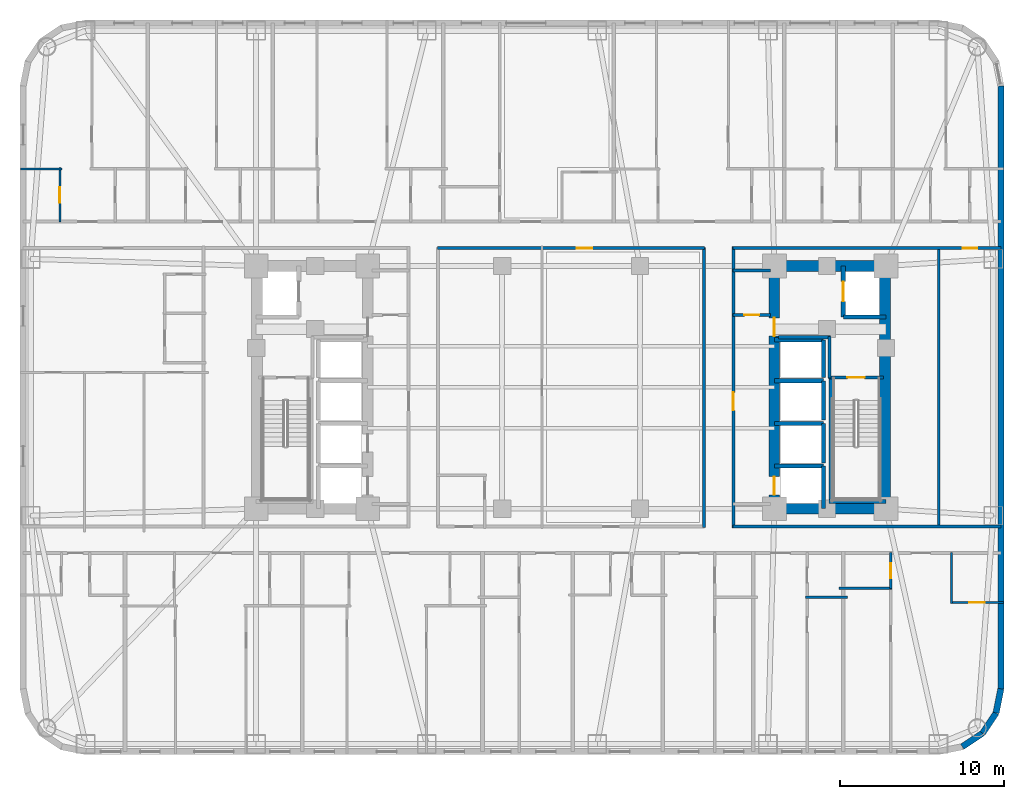
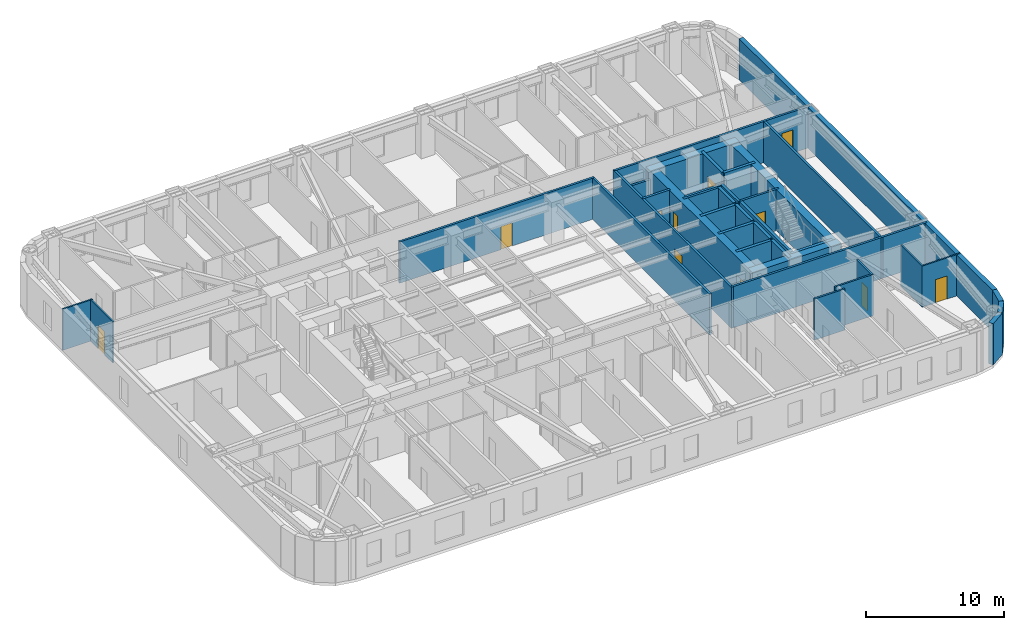
# One storey, part 6 of 12: 38 walls, 11 doors, 11 openings.
"""IFC4 building model written with IfcOpenShell, lengths in metres."""

from ifc_helpers import new_model, si_unit, direction, frame, frame_2d, origin, place, context, subcontext, project, spatial, rectangle, extrude, material, layer, layer_set, type_object, element, fill, save


model = new_model("IFC4")

# Units and contexts
model_context = context("Model", 3, precision=1e-05, world=origin(), true_north=direction((0.0, 1.0)))
body_context = subcontext(model_context, "Body", "Model", "MODEL_VIEW")
ifc_project = project(units=[si_unit("LENGTHUNIT", "METRE"), si_unit("AREAUNIT", "SQUARE_METRE"), si_unit("VOLUMEUNIT", "CUBIC_METRE"), si_unit("PLANEANGLEUNIT", "RADIAN"), si_unit("MASSUNIT", "GRAM", prefix="KILO")], contexts=[model_context])

# Site, building, storey
site_placement = place(None, origin())
site = spatial("IfcSite", under=ifc_project, at=site_placement, CompositionType="ELEMENT")
building_placement = place(site_placement, origin())
building = spatial("IfcBuilding", under=site, at=building_placement, Name="Voryun Gate Residences", CompositionType="ELEMENT")
storey_placement = place(building_placement, frame((0.0, 0.0, 41.60009765625)))
storey = spatial("IfcBuildingStorey", under=building, at=storey_placement, Name="L09", CompositionType="ELEMENT", Elevation=41.60009765625)

# Walls
ifc_material_1 = material(Name="Concrete C60/75", Category="concrete")
ifc_layer_1 = layer(ifc_material_1, 0.64990234375, Name="CW_CORE_650")
ifc_layer_set_1 = layer_set([ifc_layer_1], Name="Concrete C60/75")
wall_type_1 = type_object("IfcWallType", Name="CW_CORE_650", PredefinedType="SHEAR", material=ifc_layer_set_1)
for number, where, z_axis, x_axis, name in (
    (1, (12.074951171875, -7.39990234375, 0.0), (0.0, 0.0, 1.0), (1.0, 0.0, 0.0), "L09 Core shear wall CW-L09-ES"),
    (2, (12.074951171875, 7.39990234375, 0.0), (0.0, 0.0, 1.0), (1.0, 0.0, 0.0), "L09 Core shear wall CW-L09-EN"),
):
    element("IfcWall", number, at=place(storey_placement, frame(where, z_axis=z_axis, x_axis=x_axis)), inside=storey, type_object=wall_type_1, Name=name, PredefinedType="SHEAR", context=body_context, shape_type="SweptSolid", body=[
        extrude(rectangle(XDim=7.449951171875, YDim=0.64990234375, at=frame_2d((3.72509765625, 0.0))), origin(), (0.0, 0.0, 1.0), 3.64990234375),
    ])

# Wall, openings, doors
wall_1_placement = place(storey_placement, frame((12.39990234375, -7.39990234375, 0.0), z_axis=(0.0, 0.0, 1.0), x_axis=(0.0, 1.0, 0.0)))
wall_1 = element("IfcWall", 3, at=wall_1_placement, inside=storey, type_object=wall_type_1, Name="L09 Core shear wall CW-L09-EW", PredefinedType="SHEAR", context=body_context, shape_type="SweptSolid", body=[
    extrude(rectangle(XDim=14.7998046875, YDim=0.64990234375, at=frame_2d((7.39990234375, 0.0))), origin(), (0.0, 0.0, 1.0), 3.64990234375),
])
opening_1_placement = place(wall_1_placement, frame((0.85009765625, 0.0, 0.0)))
opening_1 = element("IfcOpeningElement", 4, at=opening_1_placement, cuts=wall_1, Name="Opening LD2", PredefinedType="OPENING", context=body_context, shape_type="SweptSolid", body=[
    extrude(rectangle(XDim=1.10009765625, YDim=2.050048828125, at=frame_2d((0.550048828125, 1.02490234375))), frame((0.0, 0.3349609375, 0.0), z_axis=(0.0, -1.0, 0.0), x_axis=(1.0, 0.0, 0.0)), (0.0, 0.0, 1.0), 0.669921875),
])
opening_2_placement = place(wall_1_placement, frame((10.530029296875, 0.0, 0.0)))
opening_2 = element("IfcOpeningElement", 5, at=opening_2_placement, cuts=wall_1, Name="Opening D-FD60-2", PredefinedType="OPENING", context=body_context, shape_type="SweptSolid", body=[
    extrude(rectangle(XDim=1.10009765625, YDim=2.050048828125, at=frame_2d((0.550048828125, 1.02490234375))), frame((0.0, 0.3349609375, 0.0), z_axis=(0.0, -1.0, 0.0), x_axis=(1.0, 0.0, 0.0)), (0.0, 0.0, 1.0), 0.669921875),
])
ifc_material_2 = material(Name="Painted steel fire door", Category="steel")
door_type_1 = type_object("IfcDoorType", Name="DR_FD60_FFLOB_1100", OperationType="NOTDEFINED", PredefinedType="DOOR", material=ifc_material_2)
door_1_placement = place(opening_2_placement, origin())
door_1 = element("IfcDoor", 6, at=door_1_placement, inside=storey, type_object=door_type_1, Name="Door DR-L09-CLOB-E", OperationType="SINGLE_SWING_RIGHT", OverallHeight=2.050048828125, OverallWidth=1.10009765625, PredefinedType="DOOR", context=body_context, shape_type="SweptSolid", body=[
    extrude(rectangle(XDim=1.10009765625, YDim=2.050048828125, at=frame_2d((0.550048828125, 1.02490234375))), frame((0.0, 0.02490234375, 0.0), z_axis=(0.0, -1.0, 0.0), x_axis=(1.0, 0.0, 0.0)), (0.0, 0.0, 1.0), 0.050048828125),
])
fill(opening_2, door_1)
ifc_material_3 = material(Name="Anodised aluminium", Category="aluminium")
door_type_2 = type_object("IfcDoorType", Name="DR_LD_PASS_1100", OperationType="NOTDEFINED", PredefinedType="DOOR", material=ifc_material_3)
door_2_placement = place(opening_1_placement, origin())
door_2 = element("IfcDoor", 7, at=door_2_placement, inside=storey, type_object=door_type_2, Name="Lift EL-P3 sliding landing door L09", OperationType="SLIDING_TO_LEFT", OverallHeight=2.050048828125, OverallWidth=1.10009765625, PredefinedType="DOOR", context=body_context, shape_type="SweptSolid", body=[
    extrude(rectangle(XDim=1.10009765625, YDim=2.050048828125, at=frame_2d((0.550048828125, 1.02490234375))), frame((0.0, 0.02490234375, 0.0), z_axis=(0.0, -1.0, 0.0), x_axis=(1.0, 0.0, 0.0)), (0.0, 0.0, 1.0), 0.050048828125),
])
fill(opening_1, door_2)

# Wall
wall_2_placement = place(storey_placement, frame((19.14501953125, -7.39990234375, 0.0), z_axis=(0.0, 0.0, 1.0), x_axis=(0.0, 1.0, 0.0)))
element("IfcWall", 8, at=wall_2_placement, inside=storey, type_object=wall_type_1, Name="L09 Core shear wall CW-L09-EE", PredefinedType="SHEAR", context=body_context, shape_type="SweptSolid", body=[
    extrude(rectangle(XDim=14.7998046875, YDim=0.64990234375, at=frame_2d((7.39990234375, 0.0))), origin(), (0.0, 0.0, 1.0), 3.64990234375),
])

# Wall, opening, door
ifc_material_4 = material(Name="Gypsum acoustic fireboard")
ifc_layer_2 = layer(ifc_material_4, 0.179931640625, Name="W_CORR_RATED_180")
ifc_layer_set_2 = layer_set([ifc_layer_2], Name="Gypsum acoustic fireboard")
wall_type_2 = type_object("IfcWallType", Name="W_CORR_RATED_180", PredefinedType="PARTITIONING", material=ifc_layer_set_2)
wall_3_placement = place(storey_placement, frame((15.699951171875, 0.60009765625, 0.0), z_axis=(0.0, 0.0, 1.0), x_axis=(1.0, 0.0, 0.0)))
wall_3 = element("IfcWall", 9, at=wall_3_placement, inside=storey, type_object=wall_type_2, Name="Partition wall WP-L09-STV-E", PredefinedType="PARTITIONING", context=body_context, shape_type="SweptSolid", body=[
    extrude(rectangle(XDim=3.360107421875, YDim=0.179931640625, at=frame_2d((1.68017578125, 0.0))), origin(), (0.0, 0.0, 1.0), 3.64990234375),
])
opening_3_placement = place(wall_3_placement, frame((1.155029296875, 0.0, 0.0)))
opening_3 = element("IfcOpeningElement", 10, at=opening_3_placement, cuts=wall_3, Name="Opening D-FD60-1", PredefinedType="OPENING", context=body_context, shape_type="SweptSolid", body=[
    extrude(rectangle(XDim=1.050048828125, YDim=2.050048828125, at=frame_2d((0.52490234375, 1.02490234375))), frame((0.0, 0.099853515625, 0.0), z_axis=(0.0, -1.0, 0.0), x_axis=(1.0, 0.0, 0.0)), (0.0, 0.0, 1.0), 0.199951171875),
])
ifc_material_5 = material(Name="Painted steel fire door", Category="steel")
door_type_3 = type_object("IfcDoorType", Name="DR_FD60_STAIR_1050", OperationType="NOTDEFINED", PredefinedType="DOOR", material=ifc_material_5)
door_3_placement = place(opening_3_placement, origin())
door_3 = element("IfcDoor", 11, at=door_3_placement, inside=storey, type_object=door_type_3, Name="Door DR-L09-ST-E", OperationType="SINGLE_SWING_RIGHT", OverallHeight=2.050048828125, OverallWidth=1.050048828125, PredefinedType="DOOR", context=body_context, shape_type="SweptSolid", body=[
    extrude(rectangle(XDim=1.050048828125, YDim=2.050048828125, at=frame_2d((0.52490234375, 1.02490234375))), frame((0.0, 0.02490234375, 0.0), z_axis=(0.0, -1.0, 0.0), x_axis=(1.0, 0.0, 0.0)), (0.0, 0.0, 1.0), 0.050048828125),
])
fill(opening_3, door_3)

# Wall
wall_4_placement = place(storey_placement, frame((9.8798828125, 7.1201171875, 0.0), z_axis=(0.0, 0.0, 1.0), x_axis=(1.0, 0.0, 0.0)))
element("IfcWall", 12, at=wall_4_placement, inside=storey, type_object=wall_type_2, Name="Partition wall WP-L09-PLBN-E", PredefinedType="PARTITIONING", context=body_context, shape_type="SweptSolid", body=[
    extrude(rectangle(XDim=2.27001953125, YDim=0.179931640625, at=frame_2d((1.135009765625, 0.0))), origin(), (0.0, 0.0, 1.0), 2.93994140625),
])

# Wall, opening, door
wall_5_placement = place(storey_placement, frame((9.89990234375, -8.580078125, 0.0), z_axis=(0.0, 0.0, 1.0), x_axis=(0.0, 1.0, 0.0)))
wall_5 = element("IfcWall", 13, at=wall_5_placement, inside=storey, type_object=wall_type_2, Name="Partition wall WP-L09-PLBE-FULL", PredefinedType="PARTITIONING", context=body_context, shape_type="SweptSolid", body=[
    extrude(rectangle(XDim=17.16015625, YDim=0.179931640625, at=frame_2d((8.580078125, 0.0))), origin(), (0.0, 0.0, 1.0), 3.64990234375),
])
opening_4_placement = place(wall_5_placement, frame((7.172119140625, 0.0, 0.0)))
opening_4 = element("IfcOpeningElement", 14, at=opening_4_placement, cuts=wall_5, Name="Opening D-FD60-2", PredefinedType="OPENING", context=body_context, shape_type="SweptSolid", body=[
    extrude(rectangle(XDim=1.10009765625, YDim=2.050048828125, at=frame_2d((0.550048828125, 1.02490234375))), frame((0.0, 0.099853515625, 0.0), z_axis=(0.0, -1.0, 0.0), x_axis=(1.0, 0.0, 0.0)), (0.0, 0.0, 1.0), 0.199951171875),
])
door_4_placement = place(opening_4_placement, origin())
door_4 = element("IfcDoor", 15, at=door_4_placement, inside=storey, type_object=door_type_1, Name="Door DR-L09-PLBE-COR", OperationType="SINGLE_SWING_RIGHT", OverallHeight=2.050048828125, OverallWidth=1.10009765625, PredefinedType="DOOR", context=body_context, shape_type="SweptSolid", body=[
    extrude(rectangle(XDim=1.10009765625, YDim=2.050048828125, at=frame_2d((0.550048828125, 1.02490234375))), frame((0.0, 0.02490234375, 0.0), z_axis=(0.0, -1.0, 0.0), x_axis=(1.0, 0.0, 0.0)), (0.0, 0.0, 1.0), 0.050048828125),
])
fill(opening_4, door_4)

wall_6_placement = place(storey_placement, frame((9.8798828125, 8.489990234375, 0.0), z_axis=(0.0, 0.0, 1.0), x_axis=(1.0, 0.0, 0.0)))
wall_6 = element("IfcWall", 16, at=wall_6_placement, inside=storey, type_object=wall_type_2, Name="Partition wall WP-L09-CWING-EN", PredefinedType="PARTITIONING", context=body_context, shape_type="SweptSolid", body=[
    extrude(rectangle(XDim=16.330078125, YDim=0.179931640625, at=frame_2d((8.1650390625, 0.0))), origin(), (0.0, 0.0, 1.0), 3.64990234375),
])
opening_5_placement = place(wall_6_placement, frame((13.990478515625, 0.0, 0.0)))
opening_5 = element("IfcOpeningElement", 17, at=opening_5_placement, cuts=wall_6, Name="Opening D-INT-2", PredefinedType="OPENING", context=body_context, shape_type="SweptSolid", body=[
    extrude(rectangle(XDim=0.89990234375, YDim=2.050048828125, at=frame_2d((0.449951171875, 1.02490234375))), frame((0.0, 0.099853515625, 0.0), z_axis=(0.0, -1.0, 0.0), x_axis=(1.0, 0.0, 0.0)), (0.0, 0.0, 1.0), 0.199951171875),
])
ifc_material_6 = material(Name="Architectural oak veneer")
door_type_4 = type_object("IfcDoorType", Name="DR_INT_BATH_900", OperationType="NOTDEFINED", PredefinedType="DOOR", material=ifc_material_6)
door_5_placement = place(opening_5_placement, origin())
door_5 = element("IfcDoor", 18, at=door_5_placement, inside=storey, type_object=door_type_4, Name="Door DR-L09-EE1N", OperationType="SINGLE_SWING_LEFT", OverallHeight=2.050048828125, OverallWidth=0.89990234375, PredefinedType="DOOR", context=body_context, shape_type="SweptSolid", body=[
    extrude(rectangle(XDim=0.89990234375, YDim=2.050048828125, at=frame_2d((0.449951171875, 1.02490234375))), frame((0.0, 0.02490234375, 0.0), z_axis=(0.0, -1.0, 0.0), x_axis=(1.0, 0.0, 0.0)), (0.0, 0.0, 1.0), 0.050048828125),
])
fill(opening_5, door_5)

# Wall
wall_7_placement = place(storey_placement, frame((9.8798828125, -8.489990234375, 0.0), z_axis=(0.0, 0.0, 1.0), x_axis=(1.0, 0.0, 0.0)))
element("IfcWall", 19, at=wall_7_placement, inside=storey, type_object=wall_type_2, Name="Partition wall WP-L09-CWING-ES", PredefinedType="PARTITIONING", context=body_context, shape_type="SweptSolid", body=[
    extrude(rectangle(XDim=16.330078125, YDim=0.179931640625, at=frame_2d((8.1650390625, 0.0))), origin(), (0.0, 0.0, 1.0), 3.64990234375),
])

# Wall, opening, door
wall_8_placement = place(storey_placement, frame((-8.14990234375, 8.489990234375, 0.0), z_axis=(0.0, 0.0, 1.0), x_axis=(1.0, 0.0, 0.0)))
wall_8 = element("IfcWall", 20, at=wall_8_placement, inside=storey, type_object=wall_type_2, Name="Partition wall WP-L09-Z1N", PredefinedType="PARTITIONING", context=body_context, shape_type="SweptSolid", body=[
    extrude(rectangle(XDim=16.2998046875, YDim=0.179931640625, at=frame_2d((8.14990234375, 0.0))), origin(), (0.0, 0.0, 1.0), 3.64990234375),
])
opening_6_placement = place(wall_8_placement, frame((8.489990234375, 0.0, 0.0)))
opening_6 = element("IfcOpeningElement", 21, at=opening_6_placement, cuts=wall_8, Name="Opening D-INT-1", PredefinedType="OPENING", context=body_context, shape_type="SweptSolid", body=[
    extrude(rectangle(XDim=0.949951171875, YDim=2.050048828125, at=frame_2d((0.47509765625, 1.02490234375))), frame((0.0, 0.099853515625, 0.0), z_axis=(0.0, -1.0, 0.0), x_axis=(1.0, 0.0, 0.0)), (0.0, 0.0, 1.0), 0.199951171875),
])
ifc_material_7 = material(Name="Architectural oak veneer")
door_type_5 = type_object("IfcDoorType", Name="DR_INT_ROOM_950", OperationType="NOTDEFINED", PredefinedType="DOOR", material=ifc_material_7)
door_6_placement = place(opening_6_placement, origin())
door_6 = element("IfcDoor", 22, at=door_6_placement, inside=storey, type_object=door_type_5, Name="Door DR-L09-CMIDZ1N", OperationType="SINGLE_SWING_LEFT", OverallHeight=2.050048828125, OverallWidth=0.949951171875, PredefinedType="DOOR", context=body_context, shape_type="SweptSolid", body=[
    extrude(rectangle(XDim=0.949951171875, YDim=2.050048828125, at=frame_2d((0.47509765625, 1.02490234375))), frame((0.0, 0.02490234375, 0.0), z_axis=(0.0, -1.0, 0.0), x_axis=(1.0, 0.0, 0.0)), (0.0, 0.0, 1.0), 0.050048828125),
])
fill(opening_6, door_6)

# Walls
wall_9_placement = place(storey_placement, frame((8.10009765625, -8.530029296875, 0.0), z_axis=(0.0, 0.0, 1.0), x_axis=(0.0, 1.0, 0.0)))
element("IfcWall", 23, at=wall_9_placement, inside=storey, type_object=wall_type_2, Name="Partition wall WP-L09-Z1E", PredefinedType="PARTITIONING", context=body_context, shape_type="SweptSolid", body=[
    extrude(rectangle(XDim=17.06005859375, YDim=0.179931640625, at=frame_2d((8.530029296875, 0.0))), origin(), (0.0, 0.0, 1.0), 3.64990234375),
])
wall_10_placement = place(storey_placement, frame((22.419921875, -8.580078125, 0.0), z_axis=(0.0, 0.0, 1.0), x_axis=(0.0, 1.0, 0.0)))
element("IfcWall", 24, at=wall_10_placement, inside=storey, type_object=wall_type_2, Name="Partition wall WP-L09-EEND", PredefinedType="PARTITIONING", context=body_context, shape_type="SweptSolid", body=[
    extrude(rectangle(XDim=17.16015625, YDim=0.179931640625, at=frame_2d((8.580078125, 0.0))), origin(), (0.0, 0.0, 1.0), 3.64990234375),
])
ifc_material_8 = material(Name="Granite masonry", Category="masonry")
ifc_layer_3 = layer(ifc_material_8, 0.3798828125, Name="W_EXT_GRANITE_380")
ifc_layer_set_3 = layer_set([ifc_layer_3], Name="Granite masonry")
wall_type_3 = type_object("IfcWallType", Name="W_EXT_GRANITE_380", PredefinedType="ELEMENTEDWALL", material=ifc_layer_set_3)
wall_11_placement = place(storey_placement, frame((26.2099609375, 18.38134765625, 0.0), z_axis=(0.0, 0.0, 1.0), x_axis=(0.0, -1.0, 0.0)))
element("IfcWall", 25, at=wall_11_placement, inside=storey, type_object=wall_type_3, Name="Exterior wall WEXT-L09-16", PredefinedType="ELEMENTEDWALL", context=body_context, shape_type="SweptSolid", body=[
    extrude(rectangle(XDim=36.7626953125, YDim=0.3798828125, at=frame_2d((18.38134765625, 0.0))), origin(), (0.0, 0.0, 1.0), 3.64990234375),
])
wall_12_placement = place(storey_placement, frame((26.2099609375, -18.38134765625, 0.0), z_axis=(0.0, 0.0, 1.0), x_axis=(-0.195086038585, -0.980786132421, 0.0)))
element("IfcWall", 26, at=wall_12_placement, inside=storey, type_object=wall_type_3, Name="Exterior wall WEXT-L09-17", PredefinedType="ELEMENTEDWALL", context=body_context, shape_type="SweptSolid", body=[
    extrude(rectangle(XDim=1.504150390625, YDim=0.3798828125, at=frame_2d((0.751953125, 0.0))), origin(), (0.0, 0.0, 1.0), 3.64990234375),
])
for number, where, z_axis, x_axis, name in (
    (27, (25.91650390625, -19.856689453125, 0.0), (0.0, 0.0, 1.0), (-0.555686231674, -0.831392092774, 0.0), "Exterior wall WEXT-L09-18"),
    (28, (25.09130859375, -21.09130859375, 0.0), (0.0, 0.0, 1.0), (-0.831392092774, -0.555686231674, 0.0), "Exterior wall WEXT-L09-19"),
):
    element("IfcWall", number, at=place(storey_placement, frame(where, z_axis=z_axis, x_axis=x_axis)), inside=storey, type_object=wall_type_3, Name=name, PredefinedType="ELEMENTEDWALL", context=body_context, shape_type="SweptSolid", body=[
        extrude(rectangle(XDim=1.485107421875, YDim=0.3798828125, at=frame_2d((0.74267578125, 0.0))), origin(), (0.0, 0.0, 1.0), 3.64990234375),
    ])
ifc_material_9 = material(Name="Concrete C40/50", Category="concrete")
ifc_layer_4 = layer(ifc_material_9, 0.199951171875, Name="W_FF_LOBBY_200")
ifc_layer_set_4 = layer_set([ifc_layer_4], Name="Concrete C40/50")
wall_type_4 = type_object("IfcWallType", Name="W_FF_LOBBY_200", PredefinedType="PARTITIONING", material=ifc_layer_set_4)
wall_13_placement = place(storey_placement, frame((15.760009765625, 0.580078125, 0.0), z_axis=(0.0, 0.0, 1.0), x_axis=(0.0, 1.0, 0.0)))
element("IfcWall", 29, at=wall_13_placement, inside=storey, type_object=wall_type_4, Name="Partition wall WP-L09-FFP0-E", PredefinedType="PARTITIONING", context=body_context, shape_type="SweptSolid", body=[
    extrude(rectangle(XDim=2.52001953125, YDim=0.199951171875, at=frame_2d((1.260009765625, 0.0))), origin(), (0.0, 0.0, 1.0), 3.64990234375),
])
wall_14_placement = place(storey_placement, frame((12.659912109375, 3.06005859375, 0.0), z_axis=(0.0, 0.0, 1.0), x_axis=(1.0, 0.0, 0.0)))
element("IfcWall", 30, at=wall_14_placement, inside=storey, type_object=wall_type_4, Name="Partition wall WP-L09-FFPS-E", PredefinedType="PARTITIONING", context=body_context, shape_type="SweptSolid", body=[
    extrude(rectangle(XDim=3.16015625, YDim=0.199951171875, at=frame_2d((1.580078125, 0.0))), origin(), (0.0, 0.0, 1.0), 3.64990234375),
])

# Wall, opening, door
wall_15_placement = place(storey_placement, frame((9.8798828125, 4.409912109375, 0.0), z_axis=(0.0, 0.0, 1.0), x_axis=(1.0, 0.0, 0.0)))
wall_15 = element("IfcWall", 31, at=wall_15_placement, inside=storey, type_object=wall_type_4, Name="Partition wall WP-L09-CSFLKS-E", PredefinedType="PARTITIONING", context=body_context, shape_type="SweptSolid", body=[
    extrude(rectangle(XDim=2.27001953125, YDim=0.199951171875, at=frame_2d((1.135009765625, 0.0))), origin(), (0.0, 0.0, 1.0), 3.64990234375),
])
opening_7_placement = place(wall_15_placement, frame((0.68505859375, 0.0, 0.0)))
opening_7 = element("IfcOpeningElement", 32, at=opening_7_placement, cuts=wall_15, Name="Opening D-FD60-4", PredefinedType="OPENING", context=body_context, shape_type="SweptSolid", body=[
    extrude(rectangle(XDim=0.89990234375, YDim=2.050048828125, at=frame_2d((0.449951171875, 1.02490234375))), frame((0.0, 0.110107421875, 0.0), z_axis=(0.0, -1.0, 0.0), x_axis=(1.0, 0.0, 0.0)), (0.0, 0.0, 1.0), 0.219970703125),
])
ifc_material_10 = material(Name="Painted steel fire door", Category="steel")
door_type_6 = type_object("IfcDoorType", Name="DR_FD60_RISER_900", OperationType="NOTDEFINED", PredefinedType="DOOR", material=ifc_material_10)
door_7_placement = place(opening_7_placement, origin())
door_7 = element("IfcDoor", 33, at=door_7_placement, inside=storey, type_object=door_type_6, Name="Door DR-L09-CSFLK-E", OperationType="SINGLE_SWING_RIGHT", OverallHeight=2.050048828125, OverallWidth=0.89990234375, PredefinedType="DOOR", context=body_context, shape_type="SweptSolid", body=[
    extrude(rectangle(XDim=0.89990234375, YDim=2.050048828125, at=frame_2d((0.449951171875, 1.02490234375))), frame((0.0, 0.02490234375, 0.0), z_axis=(0.0, -1.0, 0.0), x_axis=(1.0, 0.0, 0.0)), (0.0, 0.0, 1.0), 0.050048828125),
])
fill(opening_7, door_7)

# Walls
ifc_material_11 = material(Name="Concrete C50/60", Category="concrete")
ifc_layer_5 = layer(ifc_material_11, 0.25, Name="W_SHAFT_RC250")
ifc_layer_set_5 = layer_set([ifc_layer_5], Name="Concrete C50/60")
wall_type_5 = type_object("IfcWallType", Name="W_SHAFT_RC250", PredefinedType="SOLIDWALL", material=ifc_layer_set_5)
wall_16_placement = place(storey_placement, frame((15.860107421875, -7.0849609375, 0.0), z_axis=(0.0, 0.0, 1.0), x_axis=(0.0, 1.0, 0.0)))
element("IfcWall", 34, at=wall_16_placement, inside=storey, type_object=wall_type_5, Name="L09 Stair shaft structural wall E-STL", PredefinedType="SOLIDWALL", context=body_context, shape_type="SweptSolid", body=[
    extrude(rectangle(XDim=7.68505859375, YDim=0.25, at=frame_2d((3.842529296875, 0.0))), origin(), (0.0, 0.0, 1.0), 3.64990234375),
])
wall_17_placement = place(storey_placement, frame((15.739990234375, -6.965087890625, 0.0), z_axis=(0.0, 0.0, 1.0), x_axis=(1.0, 0.0, 0.0)))
element("IfcWall", 35, at=wall_17_placement, inside=storey, type_object=wall_type_5, Name="L09 Stair shaft structural wall E-STS", PredefinedType="SOLIDWALL", context=body_context, shape_type="SweptSolid", body=[
    extrude(rectangle(XDim=3.4599609375, YDim=0.25, at=frame_2d((1.72998046875, 0.0))), origin(), (0.0, 0.0, 1.0), 3.64990234375),
])
wall_18_placement = place(storey_placement, frame((16.60009765625, 4.300048828125, 0.0), z_axis=(0.0, 0.0, 1.0), x_axis=(1.0, 0.0, 0.0)))
element("IfcWall", 36, at=wall_18_placement, inside=storey, type_object=wall_type_5, Name="Lift shaft wall WSH-L09-EL-FF-E1-S", PredefinedType="SOLIDWALL", context=body_context, shape_type="SweptSolid", body=[
    extrude(rectangle(XDim=2.599853515625, YDim=0.25, at=frame_2d((1.2998046875, 0.0))), origin(), (0.0, 0.0, 1.0), 3.64990234375),
])

# Wall, opening, door
wall_19_placement = place(storey_placement, frame((16.60009765625, 7.39990234375, 0.0), z_axis=(0.0, 0.0, 1.0), x_axis=(0.0, -1.0, 0.0)))
wall_19 = element("IfcWall", 37, at=wall_19_placement, inside=storey, type_object=wall_type_5, Name="Lift shaft wall WSH-L09-EL-FF-E1-W", PredefinedType="SOLIDWALL", context=body_context, shape_type="SweptSolid", body=[
    extrude(rectangle(XDim=3.099853515625, YDim=0.25, at=frame_2d((1.5498046875, 0.0))), origin(), (0.0, 0.0, 1.0), 3.64990234375),
])
opening_8_placement = place(wall_19_placement, frame((0.949951171875, 0.0, 0.0)))
opening_8 = element("IfcOpeningElement", 38, at=opening_8_placement, cuts=wall_19, Name="Opening LD1", PredefinedType="OPENING", context=body_context, shape_type="SweptSolid", body=[
    extrude(rectangle(XDim=1.199951171875, YDim=2.050048828125, at=frame_2d((0.60009765625, 1.02490234375))), frame((0.0, 0.135009765625, 0.0), z_axis=(0.0, -1.0, 0.0), x_axis=(1.0, 0.0, 0.0)), (0.0, 0.0, 1.0), 0.27001953125),
])
ifc_material_12 = material(Name="Anodised aluminium", Category="aluminium")
door_type_7 = type_object("IfcDoorType", Name="DR_LD_FF_1200", OperationType="NOTDEFINED", PredefinedType="DOOR", material=ifc_material_12)
door_8_placement = place(opening_8_placement, origin())
door_8 = element("IfcDoor", 39, at=door_8_placement, inside=storey, type_object=door_type_7, Name="Lift EL-FF-E1 sliding landing door L09", OperationType="SLIDING_TO_LEFT", OverallHeight=2.050048828125, OverallWidth=1.199951171875, PredefinedType="DOOR", context=body_context, shape_type="SweptSolid", body=[
    extrude(rectangle(XDim=1.199951171875, YDim=2.050048828125, at=frame_2d((0.60009765625, 1.02490234375))), frame((0.0, 0.02490234375, 0.0), z_axis=(0.0, -1.0, 0.0), x_axis=(1.0, 0.0, 0.0)), (0.0, 0.0, 1.0), 0.050048828125),
])
fill(opening_8, door_8)

# Walls
wall_20_placement = place(storey_placement, frame((15.39990234375, -7.39990234375, 0.0), z_axis=(0.0, 0.0, 1.0), x_axis=(0.0, 1.0, 0.0)))
element("IfcWall", 40, at=wall_20_placement, inside=storey, type_object=wall_type_5, Name="Lift shaft wall WSH-L09-EL-P3-E", PredefinedType="SOLIDWALL", context=body_context, shape_type="SweptSolid", body=[
    extrude(rectangle(XDim=2.599853515625, YDim=0.25, at=frame_2d((1.2998046875, 0.0))), origin(), (0.0, 0.0, 1.0), 3.64990234375),
])
wall_21_placement = place(storey_placement, frame((15.39990234375, -4.800048828125, 0.0), z_axis=(0.0, 0.0, 1.0), x_axis=(-1.0, 0.0, 0.0)))
element("IfcWall", 41, at=wall_21_placement, inside=storey, type_object=wall_type_5, Name="Lift shaft wall WSH-L09-EL-P3-N", PredefinedType="SOLIDWALL", context=body_context, shape_type="SweptSolid", body=[
    extrude(rectangle(XDim=3.0, YDim=0.25, at=frame_2d((1.5, 0.0))), origin(), (0.0, 0.0, 1.0), 3.64990234375),
])
wall_22_placement = place(storey_placement, frame((15.39990234375, -4.60009765625, 0.0), z_axis=(0.0, 0.0, 1.0), x_axis=(0.0, 1.0, 0.0)))
element("IfcWall", 42, at=wall_22_placement, inside=storey, type_object=wall_type_5, Name="Lift shaft wall WSH-L09-EL-P5-E", PredefinedType="SOLIDWALL", context=body_context, shape_type="SweptSolid", body=[
    extrude(rectangle(XDim=2.400146484375, YDim=0.25, at=frame_2d((1.2001953125, 0.0))), origin(), (0.0, 0.0, 1.0), 3.64990234375),
])
wall_23_placement = place(storey_placement, frame((15.39990234375, -2.199951171875, 0.0), z_axis=(0.0, 0.0, 1.0), x_axis=(-1.0, 0.0, 0.0)))
element("IfcWall", 43, at=wall_23_placement, inside=storey, type_object=wall_type_5, Name="Lift shaft wall WSH-L09-EL-P5-N", PredefinedType="SOLIDWALL", context=body_context, shape_type="SweptSolid", body=[
    extrude(rectangle(XDim=3.0, YDim=0.25, at=frame_2d((1.5, 0.0))), origin(), (0.0, 0.0, 1.0), 3.64990234375),
])
wall_24_placement = place(storey_placement, frame((15.39990234375, -2.0, 0.0), z_axis=(0.0, 0.0, 1.0), x_axis=(0.0, 1.0, 0.0)))
element("IfcWall", 44, at=wall_24_placement, inside=storey, type_object=wall_type_5, Name="Lift shaft wall WSH-L09-EL-P6-E", PredefinedType="SOLIDWALL", context=body_context, shape_type="SweptSolid", body=[
    extrude(rectangle(XDim=2.39990234375, YDim=0.25, at=frame_2d((1.199951171875, 0.0))), origin(), (0.0, 0.0, 1.0), 3.64990234375),
])
wall_25_placement = place(storey_placement, frame((15.39990234375, 0.39990234375, 0.0), z_axis=(0.0, 0.0, 1.0), x_axis=(-1.0, 0.0, 0.0)))
element("IfcWall", 45, at=wall_25_placement, inside=storey, type_object=wall_type_5, Name="Lift shaft wall WSH-L09-EL-P6-N", PredefinedType="SOLIDWALL", context=body_context, shape_type="SweptSolid", body=[
    extrude(rectangle(XDim=3.0, YDim=0.25, at=frame_2d((1.5, 0.0))), origin(), (0.0, 0.0, 1.0), 3.64990234375),
])
wall_26_placement = place(storey_placement, frame((15.39990234375, 0.60009765625, 0.0), z_axis=(0.0, 0.0, 1.0), x_axis=(0.0, 1.0, 0.0)))
element("IfcWall", 46, at=wall_26_placement, inside=storey, type_object=wall_type_5, Name="Lift shaft wall WSH-L09-EL-P8-E", PredefinedType="SOLIDWALL", context=body_context, shape_type="SweptSolid", body=[
    extrude(rectangle(XDim=2.2998046875, YDim=0.25, at=frame_2d((1.14990234375, 0.0))), origin(), (0.0, 0.0, 1.0), 3.64990234375),
])
wall_27_placement = place(storey_placement, frame((15.39990234375, 2.89990234375, 0.0), z_axis=(0.0, 0.0, 1.0), x_axis=(-1.0, 0.0, 0.0)))
element("IfcWall", 47, at=wall_27_placement, inside=storey, type_object=wall_type_5, Name="Lift shaft wall WSH-L09-EL-P8-N", PredefinedType="SOLIDWALL", context=body_context, shape_type="SweptSolid", body=[
    extrude(rectangle(XDim=3.0, YDim=0.25, at=frame_2d((1.5, 0.0))), origin(), (0.0, 0.0, 1.0), 3.64990234375),
])

# Wall, opening, door
ifc_material_13 = material(Name="Gypsum acoustic partition")
ifc_layer_6 = layer(ifc_material_13, 0.125, Name="W_UNIT_PART_125")
ifc_layer_set_6 = layer_set([ifc_layer_6], Name="Gypsum acoustic partition")
wall_type_6 = type_object("IfcWallType", Name="W_UNIT_PART_125", PredefinedType="PARTITIONING", material=ifc_layer_set_6)
wall_28_placement = place(storey_placement, frame((-31.16796875, 10.080078125, 0.0), z_axis=(0.0, 0.0, 1.0), x_axis=(0.0, 1.0, 0.0)))
wall_28 = element("IfcWall", 48, at=wall_28_placement, inside=storey, type_object=wall_type_6, Name="Partition wall WP-L09-N1-IVK", PredefinedType="PARTITIONING", context=body_context, shape_type="SweptSolid", body=[
    extrude(rectangle(XDim=3.31982421875, YDim=0.125, at=frame_2d((1.659912109375, 0.0))), origin(), (0.0, 0.0, 1.0), 3.64990234375),
])
opening_9_placement = place(wall_28_placement, frame((1.18505859375, 0.0, 0.0)))
opening_9 = element("IfcOpeningElement", 49, at=opening_9_placement, cuts=wall_28, Name="Opening D-INT-1", PredefinedType="OPENING", context=body_context, shape_type="SweptSolid", body=[
    extrude(rectangle(XDim=0.949951171875, YDim=2.050048828125, at=frame_2d((0.47509765625, 1.02490234375))), frame((0.0, 0.072509765625, 0.0), z_axis=(0.0, -1.0, 0.0), x_axis=(1.0, 0.0, 0.0)), (0.0, 0.0, 1.0), 0.14501953125),
])
door_9_placement = place(opening_9_placement, origin())
door_9 = element("IfcDoor", 50, at=door_9_placement, inside=storey, type_object=door_type_5, Name="Door DR-L09-N1-DK", OperationType="SINGLE_SWING_LEFT", OverallHeight=2.050048828125, OverallWidth=0.949951171875, PredefinedType="DOOR", context=body_context, shape_type="SweptSolid", body=[
    extrude(rectangle(XDim=0.949951171875, YDim=2.050048828125, at=frame_2d((0.47509765625, 1.02490234375))), frame((0.0, 0.02490234375, 0.0), z_axis=(0.0, -1.0, 0.0), x_axis=(1.0, 0.0, 0.0)), (0.0, 0.0, 1.0), 0.050048828125),
])
fill(opening_9, door_9)

# Wall
wall_29_placement = place(storey_placement, frame((-33.56005859375, 13.320068359375, 0.0), z_axis=(0.0, 0.0, 1.0), x_axis=(1.0, 0.0, 0.0)))
element("IfcWall", 51, at=wall_29_placement, inside=storey, type_object=wall_type_6, Name="Partition wall WP-L09-N1-HZK", PredefinedType="PARTITIONING", context=body_context, shape_type="SweptSolid", body=[
    extrude(rectangle(XDim=2.511962890625, YDim=0.125, at=frame_2d((1.255859375, 0.0))), origin(), (0.0, 0.0, 1.0), 3.64990234375),
])

# Wall, opening, door
wall_30_placement = place(storey_placement, frame((23.1298828125, -13.1201171875, 0.0), z_axis=(0.0, 0.0, 1.0), x_axis=(1.0, 0.0, 0.0)))
wall_30 = element("IfcWall", 52, at=wall_30_placement, inside=storey, type_object=wall_type_6, Name="Partition wall WP-L09-S8-KHY", PredefinedType="PARTITIONING", context=body_context, shape_type="SweptSolid", body=[
    extrude(rectangle(XDim=3.230224609375, YDim=0.125, at=frame_2d((1.615234375, 0.0))), origin(), (0.0, 0.0, 1.0), 3.64990234375),
])
opening_10_placement = place(wall_30_placement, frame((1.139892578125, 0.0, 0.0)))
opening_10 = element("IfcOpeningElement", 53, at=opening_10_placement, cuts=wall_30, Name="Opening D-INT-1", PredefinedType="OPENING", context=body_context, shape_type="SweptSolid", body=[
    extrude(rectangle(XDim=0.949951171875, YDim=2.050048828125, at=frame_2d((0.47509765625, 1.02490234375))), frame((0.0, 0.072509765625, 0.0), z_axis=(0.0, -1.0, 0.0), x_axis=(1.0, 0.0, 0.0)), (0.0, 0.0, 1.0), 0.14501953125),
])
door_10_placement = place(opening_10_placement, origin())
door_10 = element("IfcDoor", 54, at=door_10_placement, inside=storey, type_object=door_type_5, Name="Door DR-L09-S8-DK", OperationType="SINGLE_SWING_LEFT", OverallHeight=2.050048828125, OverallWidth=0.949951171875, PredefinedType="DOOR", context=body_context, shape_type="SweptSolid", body=[
    extrude(rectangle(XDim=0.949951171875, YDim=2.050048828125, at=frame_2d((0.47509765625, 1.02490234375))), frame((0.0, 0.02490234375, 0.0), z_axis=(0.0, -1.0, 0.0), x_axis=(1.0, 0.0, 0.0)), (0.0, 0.0, 1.0), 0.050048828125),
])
fill(opening_10, door_10)

# Walls
wall_31_placement = place(storey_placement, frame((23.18994140625, -13.179931640625, 0.0), z_axis=(0.0, 0.0, 1.0), x_axis=(0.0, 1.0, 0.0)))
element("IfcWall", 55, at=wall_31_placement, inside=storey, type_object=wall_type_6, Name="Partition wall WP-L09-S8-KVX", PredefinedType="PARTITIONING", context=body_context, shape_type="SweptSolid", body=[
    extrude(rectangle(XDim=3.099853515625, YDim=0.125, at=frame_2d((1.5498046875, 0.0))), origin(), (0.0, 0.0, 1.0), 3.64990234375),
])
ifc_material_14 = material(Name="Gypsum moisture-resistant partition")
ifc_layer_7 = layer(ifc_material_14, 0.14990234375, Name="W_WET_PLUMB_150")
ifc_layer_set_7 = layer_set([ifc_layer_7], Name="Gypsum moisture-resistant partition")
wall_type_7 = type_object("IfcWallType", Name="W_WET_PLUMB_150", PredefinedType="PLUMBINGWALL", material=ifc_layer_set_7)
wall_32_placement = place(storey_placement, frame((14.31005859375, -12.800048828125, 0.0), z_axis=(0.0, 0.0, 1.0), x_axis=(1.0, 0.0, 0.0)))
element("IfcWall", 56, at=wall_32_placement, inside=storey, type_object=wall_type_7, Name="Partition wall WP-L09-S7-SKB", PredefinedType="PLUMBINGWALL", context=body_context, shape_type="SweptSolid", body=[
    extrude(rectangle(XDim=2.550048828125, YDim=0.14990234375, at=frame_2d((1.27490234375, 0.0))), origin(), (0.0, 0.0, 1.0), 3.64990234375),
])
wall_33_placement = place(storey_placement, frame((16.340087890625, -12.239990234375, 0.0), z_axis=(0.0, 0.0, 1.0), x_axis=(1.0, 0.0, 0.0)))
element("IfcWall", 57, at=wall_33_placement, inside=storey, type_object=wall_type_7, Name="Partition wall WP-L09-S8-LHY", PredefinedType="PLUMBINGWALL", context=body_context, shape_type="SweptSolid", body=[
    extrude(rectangle(XDim=3.22900390625, YDim=0.14990234375, at=frame_2d((1.614501953125, 0.0))), origin(), (0.0, 0.0, 1.0), 3.64990234375),
])

# Wall, opening, door
wall_34_placement = place(storey_placement, frame((19.489013671875, -12.280029296875, 0.0), z_axis=(0.0, 0.0, 1.0), x_axis=(0.0, 1.0, 0.0)))
wall_34 = element("IfcWall", 58, at=wall_34_placement, inside=storey, type_object=wall_type_7, Name="Partition wall WP-L09-S8-LVX2", PredefinedType="PLUMBINGWALL", context=body_context, shape_type="SweptSolid", body=[
    extrude(rectangle(XDim=2.199951171875, YDim=0.14990234375, at=frame_2d((1.10009765625, 0.0))), origin(), (0.0, 0.0, 1.0), 3.64990234375),
])
opening_11_placement = place(wall_34_placement, frame((0.64990234375, 0.0, 0.0)))
opening_11 = element("IfcOpeningElement", 59, at=opening_11_placement, cuts=wall_34, Name="Opening D-INT-2", PredefinedType="OPENING", context=body_context, shape_type="SweptSolid", body=[
    extrude(rectangle(XDim=0.89990234375, YDim=2.050048828125, at=frame_2d((0.449951171875, 1.02490234375))), frame((0.0, 0.0849609375, 0.0), z_axis=(0.0, -1.0, 0.0), x_axis=(1.0, 0.0, 0.0)), (0.0, 0.0, 1.0), 0.169921875),
])
door_11_placement = place(opening_11_placement, origin())
door_11 = element("IfcDoor", 60, at=door_11_placement, inside=storey, type_object=door_type_4, Name="Door DR-L09-S8-DB", OperationType="SINGLE_SWING_RIGHT", OverallHeight=2.050048828125, OverallWidth=0.89990234375, PredefinedType="DOOR", context=body_context, shape_type="SweptSolid", body=[
    extrude(rectangle(XDim=0.89990234375, YDim=2.050048828125, at=frame_2d((0.449951171875, 1.02490234375))), frame((0.0, 0.02490234375, 0.0), z_axis=(0.0, -1.0, 0.0), x_axis=(1.0, 0.0, 0.0)), (0.0, 0.0, 1.0), 0.050048828125),
])
fill(opening_11, door_11)

save(model, "model.ifc")
